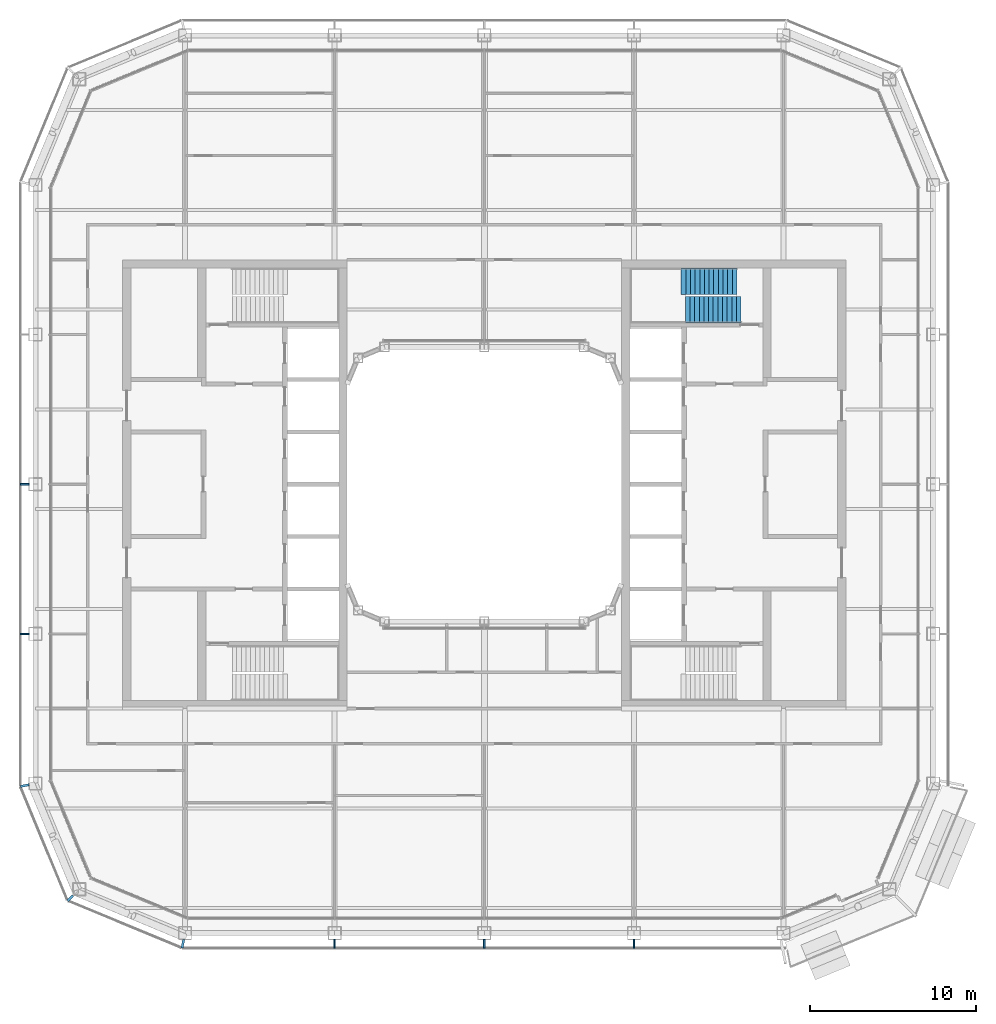
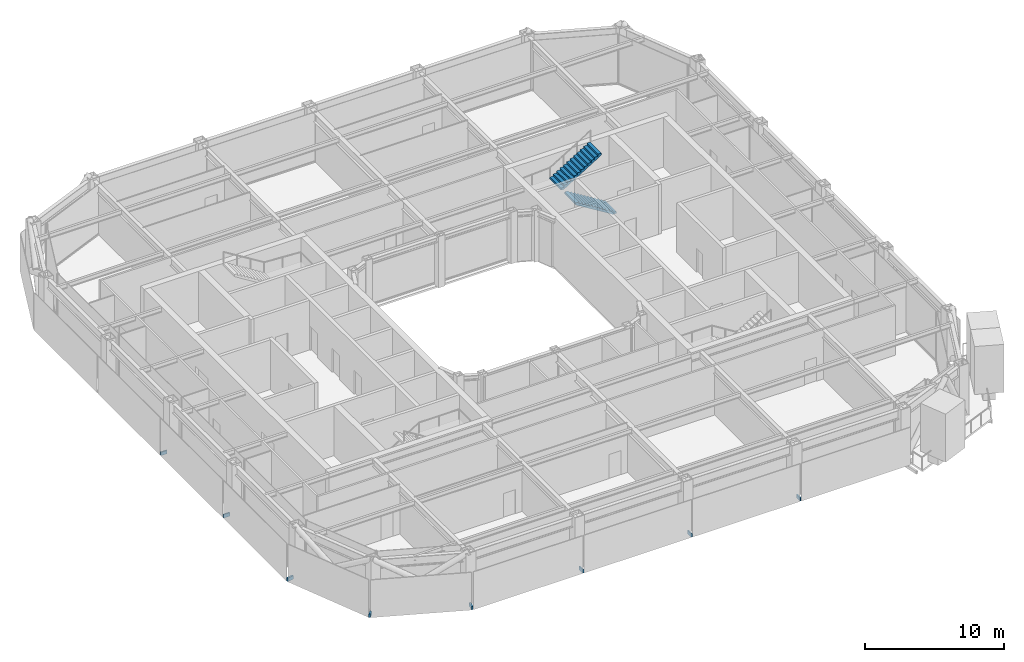
# One storey, part 16 of 23: 8 discrete accessories, 2 stair flights, 1 element without a shape of its own.
"""IFC4 building model written with IfcOpenShell, lengths in metres."""

from ifc_helpers import new_model, si_unit, direction, frame, origin, origin_2d, place, context, subcontext, project, spatial, polyline, rectangle, outline, extrude, material, type_object, element, aggregate, save


model = new_model("IFC4")

# Units and contexts
model_context = context("Model", 3, precision=1e-05, world=origin(), true_north=direction((0.0, 1.0)))
body_context = subcontext(model_context, "Body", "Model", "MODEL_VIEW")
ifc_project = project(units=[si_unit("LENGTHUNIT", "METRE"), si_unit("AREAUNIT", "SQUARE_METRE"), si_unit("VOLUMEUNIT", "CUBIC_METRE"), si_unit("PLANEANGLEUNIT", "RADIAN"), si_unit("MASSUNIT", "GRAM", prefix="KILO")], contexts=[model_context])

# Site, building, storey
site_placement = place(None, origin())
site = spatial("IfcSite", under=ifc_project, at=site_placement, CompositionType="ELEMENT")
building_placement = place(site_placement, origin())
building = spatial("IfcBuilding", under=site, at=building_placement, Name="Siwar Civic Tower", CompositionType="ELEMENT")
storey_placement = place(building_placement, frame((0.0, 0.0, 237.699951171875)))
storey = spatial("IfcBuildingStorey", under=building, at=storey_placement, Name="L51", CompositionType="ELEMENT", Elevation=237.699951171875)

# Stair, stair flights
ifc_material_1 = material(Name="Concrete C40/50", Category="concrete")
stair_type = type_object("IfcStairType", Name="CORE-STAIR", PredefinedType="TWO_STRAIGHT_RUN_STAIR", material=ifc_material_1)
stair_placement = place(storey_placement, origin())
stair = element("IfcStair", 1, at=stair_placement, inside=storey, type_object=stair_type, Name="Exit stair ST3", PredefinedType="TWO_STRAIGHT_RUN_STAIR")
ifc_material_2 = material(Name="Concrete C40/50", Category="concrete")
stair_flight_type = type_object("IfcStairFlightType", Name="CORE-STAIR-FLIGHT", PredefinedType="STRAIGHT", material=ifc_material_2)
stair_flight_1_placement = place(storey_placement, frame((15.449951171875, 10.5, 0.0), z_axis=(0.0, 0.0, 1.0), x_axis=(-1.0, 0.0, 0.0)))
stair_flight_1 = element("IfcStairFlight", 2, at=stair_flight_1_placement, type_object=stair_flight_type, Name="ST3 flight 1", NumberOfRisers=13, NumberOfTreads=12, PredefinedType="STRAIGHT", RiserHeight=0.173076923, TreadLength=0.28, context=body_context, shape_type="SweptSolid", body=[
    extrude(outline(polyline([(0.0, 0.0), (0.0, 0.173095703125), (0.280029296875, 0.173095703125), (0.280029296875, 0.34619140625), (0.56005859375, 0.34619140625), (0.56005859375, 0.519287109375), (0.840087890625, 0.519287109375), (0.840087890625, 0.6923828125), (1.1201171875, 0.6923828125), (1.1201171875, 0.865478515625), (1.39990234375, 0.865478515625), (1.39990234375, 1.03857421875), (1.679931640625, 1.03857421875), (1.679931640625, 1.21142578125), (1.9599609375, 1.21142578125), (1.9599609375, 1.384521484375), (2.239990234375, 1.384521484375), (2.239990234375, 1.5576171875), (2.52001953125, 1.5576171875), (2.52001953125, 1.730712890625), (2.800048828125, 1.730712890625), (2.800048828125, 1.90380859375), (3.080078125, 1.90380859375), (3.080078125, 2.076904296875), (3.360107421875, 2.076904296875), (3.360107421875, 2.25), (3.360107421875, 1.900634765625), (0.28515625, 0.0), (0.0, 0.0)])), frame((0.0, 0.800048828125, 0.0), z_axis=(0.0, -1.0, 0.0), x_axis=(1.0, 0.0, 0.0)), (0.0, 0.0, 1.0), 1.60009765625),
])
stair_flight_2_placement = place(storey_placement, frame((11.840087890625, 12.199951171875, 2.25), z_axis=(0.0, 0.0, 1.0), x_axis=(1.0, 0.0, 0.0)))
stair_flight_2 = element("IfcStairFlight", 3, at=stair_flight_2_placement, type_object=stair_flight_type, Name="ST3 flight 2", NumberOfRisers=13, NumberOfTreads=12, PredefinedType="STRAIGHT", RiserHeight=0.173076923, TreadLength=0.28, context=body_context, shape_type="SweptSolid", body=[
    extrude(outline(polyline([(0.0, 0.0), (0.0, 0.173095703125), (0.280029296875, 0.173095703125), (0.280029296875, 0.34619140625), (0.56005859375, 0.34619140625), (0.56005859375, 0.519287109375), (0.840087890625, 0.519287109375), (0.840087890625, 0.6923828125), (1.1201171875, 0.6923828125), (1.1201171875, 0.865478515625), (1.39990234375, 0.865478515625), (1.39990234375, 1.03857421875), (1.679931640625, 1.03857421875), (1.679931640625, 1.21142578125), (1.9599609375, 1.21142578125), (1.9599609375, 1.384521484375), (2.239990234375, 1.384521484375), (2.239990234375, 1.5576171875), (2.52001953125, 1.5576171875), (2.52001953125, 1.730712890625), (2.800048828125, 1.730712890625), (2.800048828125, 1.90380859375), (3.080078125, 1.90380859375), (3.080078125, 2.076904296875), (3.360107421875, 2.076904296875), (3.360107421875, 2.25), (3.360107421875, 1.900634765625), (0.28515625, 0.0), (0.0, 0.0)])), frame((0.0, 0.800048828125, 0.0), z_axis=(0.0, -1.0, 0.0), x_axis=(1.0, 0.0, 0.0)), (0.0, 0.0, 1.0), 1.60009765625),
])
aggregate(stair, [stair_flight_1, stair_flight_2])

# Discrete accessories
ifc_material_3 = material(Name="Stainless steel 316", Category="steel")
discrete_accessory_type = type_object("IfcDiscreteAccessoryType", Name="ENV-BRACKET", PredefinedType="BRACKET", material=ifc_material_3)
for number, where, z_axis, x_axis, name in (
    (4, (-9.0, -27.639892578125, -0.14990234375), (0.0, 0.0, 1.0), (0.0, -1.0, 0.0), "Bracket outer skin joint S-01"),
    (5, (0.0, -27.639892578125, -0.14990234375), (0.0, 0.0, 1.0), (0.0, -1.0, 0.0), "Bracket outer skin joint S-02"),
    (6, (9.0, -27.639892578125, -0.14990234375), (0.0, 0.0, 1.0), (0.0, -1.0, 0.0), "Bracket outer skin joint S-03"),
):
    element("IfcDiscreteAccessory", number, at=place(storey_placement, frame(where, z_axis=z_axis, x_axis=x_axis)), inside=storey, type_object=discrete_accessory_type, Name=name, PredefinedType="BRACKET", context=body_context, shape_type="SweptSolid", body=[
        extrude(rectangle(XDim=0.52001953125, YDim=0.10009765625, at=origin_2d()), origin(), (0.0, 0.0, 1.0), 0.300048828125),
    ])
for number, where, z_axis, x_axis, name in (
    (7, (-18.12744140625, -27.64013671875, -0.14990234375), (0.0, 0.0, 1.0), (-0.195090322016, -0.980785280403, 0.0), "Bracket outer skin joint V00"),
    (8, (-27.64013671875, -18.12744140625, -0.14990234375), (0.0, 0.0, 1.0), (-0.980785280403, -0.195090322016, 0.0), "Bracket outer skin joint V10"),
):
    element("IfcDiscreteAccessory", number, at=place(storey_placement, frame(where, z_axis=z_axis, x_axis=x_axis)), inside=storey, type_object=discrete_accessory_type, Name=name, PredefinedType="BRACKET", context=body_context, shape_type="SweptSolid", body=[
        extrude(rectangle(XDim=0.52978515625, YDim=0.13720703125, at=origin_2d()), origin(), (0.0, 0.0, 1.0), 0.300048828125),
    ])
discrete_accessory_placement = place(storey_placement, frame((-24.9013671875, -24.9013671875, -0.14990234375), z_axis=(0.0, 0.0, 1.0), x_axis=(-0.707106781187, -0.707106781187, 0.0)))
element("IfcDiscreteAccessory", 9, at=discrete_accessory_placement, inside=storey, type_object=discrete_accessory_type, Name="Bracket outer skin joint V11", PredefinedType="BRACKET", context=body_context, shape_type="SweptSolid", body=[
    extrude(rectangle(XDim=0.428466796875, YDim=0.12939453125, at=origin_2d()), origin(), (0.0, 0.0, 1.0), 0.300048828125),
])
for number, where, z_axis, x_axis, name in (
    (10, (-27.639892578125, 0.0, -0.14990234375), (0.0, 0.0, 1.0), (-1.0, 0.0, 0.0), "Bracket outer skin joint W-02"),
    (11, (-27.639892578125, -9.0, -0.14990234375), (0.0, 0.0, 1.0), (-1.0, 0.0, 0.0), "Bracket outer skin joint W-03"),
):
    element("IfcDiscreteAccessory", number, at=place(storey_placement, frame(where, z_axis=z_axis, x_axis=x_axis)), inside=storey, type_object=discrete_accessory_type, Name=name, PredefinedType="BRACKET", context=body_context, shape_type="SweptSolid", body=[
        extrude(rectangle(XDim=0.52001953125, YDim=0.10009765625, at=origin_2d()), origin(), (0.0, 0.0, 1.0), 0.300048828125),
    ])

save(model, "model.ifc")
